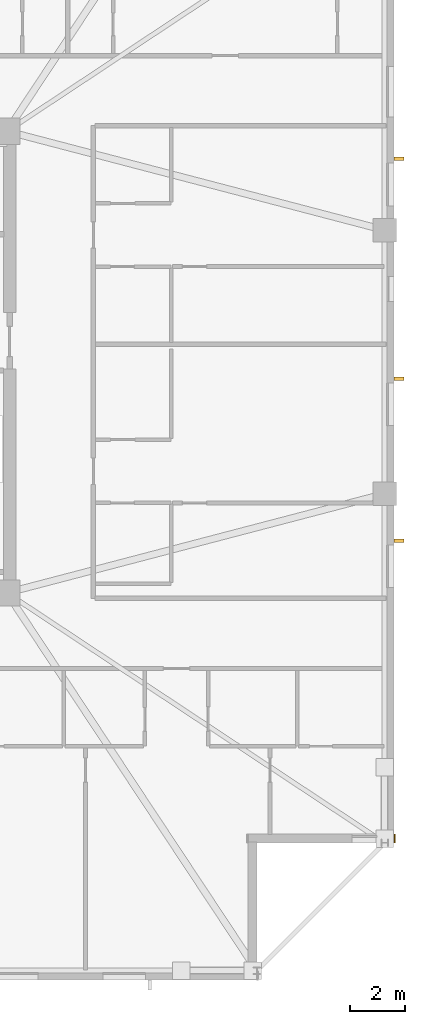
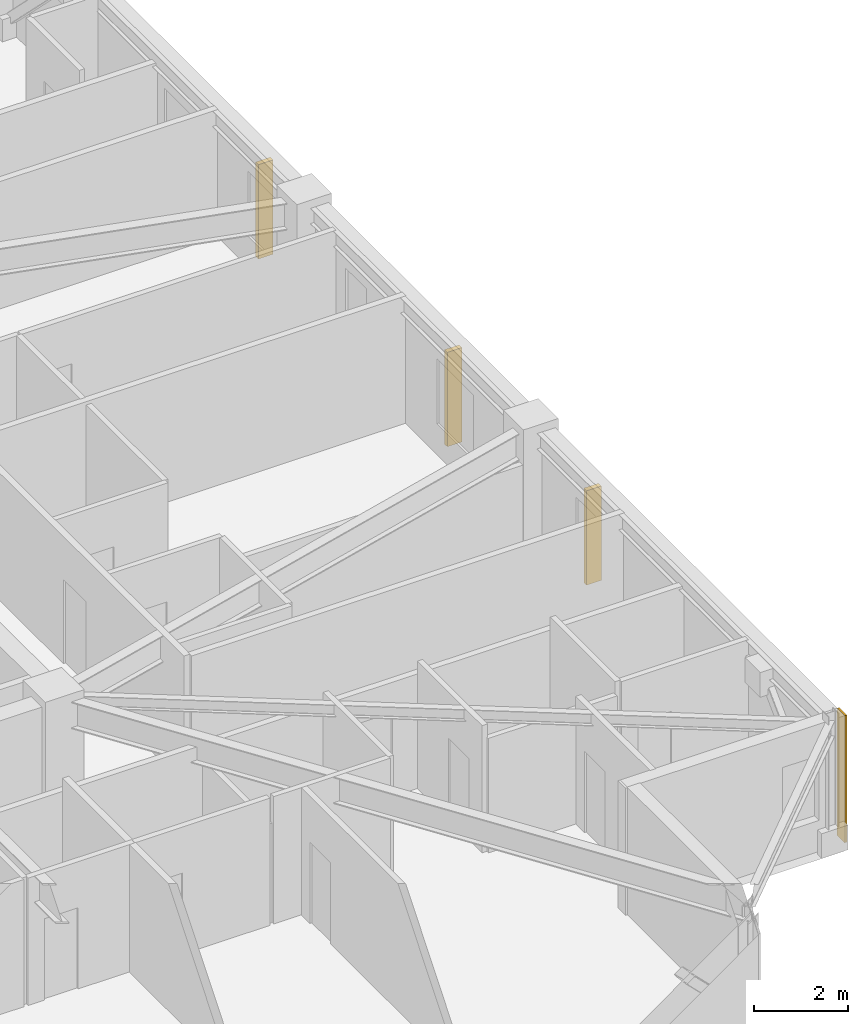
# One storey, part 15 of 17: 3 shading devices, 1 covering.
"""IFC4 building model written with IfcOpenShell, lengths in metres."""

from ifc_helpers import new_model, si_unit, direction, frame, frame_2d, origin, origin_2d, place, context, subcontext, project, spatial, rectangle, extrude, material, layer, layer_set, type_object, element, save


model = new_model("IFC4")

# Units and contexts
model_context = context("Model", 3, precision=1e-05, world=origin(), true_north=direction((0.0, 1.0)))
body_context = subcontext(model_context, "Body", "Model", "MODEL_VIEW")
ifc_project = project(units=[si_unit("LENGTHUNIT", "METRE"), si_unit("AREAUNIT", "SQUARE_METRE"), si_unit("VOLUMEUNIT", "CUBIC_METRE"), si_unit("PLANEANGLEUNIT", "RADIAN"), si_unit("MASSUNIT", "GRAM", prefix="KILO")], contexts=[model_context])

# Site, building, storey
site_placement = place(None, origin())
site = spatial("IfcSite", under=ifc_project, at=site_placement, CompositionType="ELEMENT")
building_placement = place(site_placement, origin())
building = spatial("IfcBuilding", under=site, at=building_placement, Name="Cairnveth Concourse Tower", CompositionType="ELEMENT")
storey_placement = place(building_placement, frame((0.0, 0.0, 262.0)))
storey = spatial("IfcBuildingStorey", under=building, at=storey_placement, Name="L72", CompositionType="ELEMENT", Elevation=262.0)

# Covering
ifc_material_1 = material(Name="Dressed Melbourne Bluestone Cladding", Category="masonry")
ifc_layer = layer(ifc_material_1, 0.050048828125)
ifc_layer_set = layer_set([ifc_layer], Name="Dressed Melbourne Bluestone Cladding")
covering_type = type_object("IfcCoveringType", Name="DRESSED BLUESTONE PLINTH CLADDING 50", PredefinedType="CLADDING", material=ifc_layer_set)
covering_placement = place(storey_placement, frame((74.52001953125, 21.820068359375, 0.0), z_axis=(0.0, 0.0, 1.0), x_axis=(0.0, -1.0, 0.0)))
element("IfcCovering", 1, at=covering_placement, inside=storey, type_object=covering_type, Name="Melbourne Bluestone Corner Quoin L72-1097", PredefinedType="CLADDING", context=body_context, shape_type="SweptSolid", body=[
    extrude(rectangle(XDim=0.320068359375, YDim=0.050048828125, at=frame_2d((0.16015625, 0.0))), origin(), (0.0, 0.0, 1.0), 3.2900390625),
])

# Shading devices
ifc_material_2 = material(Name="Architectural Bronze Anodised Aluminium 6063-T6", Category="aluminium")
shading_device_type = type_object("IfcShadingDeviceType", Name="GOTHIC BRONZE VERTICAL LANCET FIN", PredefinedType="USERDEFINED", material=ifc_material_2)
for number, where, z_axis, x_axis, name in (
    (2, (74.675048828125, 46.39697265625, 0.030029296875), (0.0, 0.0, 1.0), (0.0, 1.0, 0.0), "Gothic Bronze Vertical Fin L72-9-3"),
    (3, (74.675048828125, 38.396484375, 0.030029296875), (0.0, 0.0, 1.0), (0.0, 1.0, 0.0), "Gothic Bronze Vertical Fin L72-9-5"),
    (4, (74.675048828125, 32.495849609375, 0.030029296875), (0.0, 0.0, 1.0), (0.0, 1.0, 0.0), "Gothic Bronze Vertical Fin L72-9-7"),
):
    element("IfcShadingDevice", number, at=place(storey_placement, frame(where, z_axis=z_axis, x_axis=x_axis)), inside=storey, type_object=shading_device_type, Name=name, ObjectType="VERTICAL FIN", PredefinedType="USERDEFINED", context=body_context, shape_type="SweptSolid", body=[
        extrude(rectangle(XDim=0.1201171875, YDim=0.360107421875, at=origin_2d()), origin(), (0.0, 0.0, 1.0), 2.43798828125),
    ])

save(model, "model.ifc")
